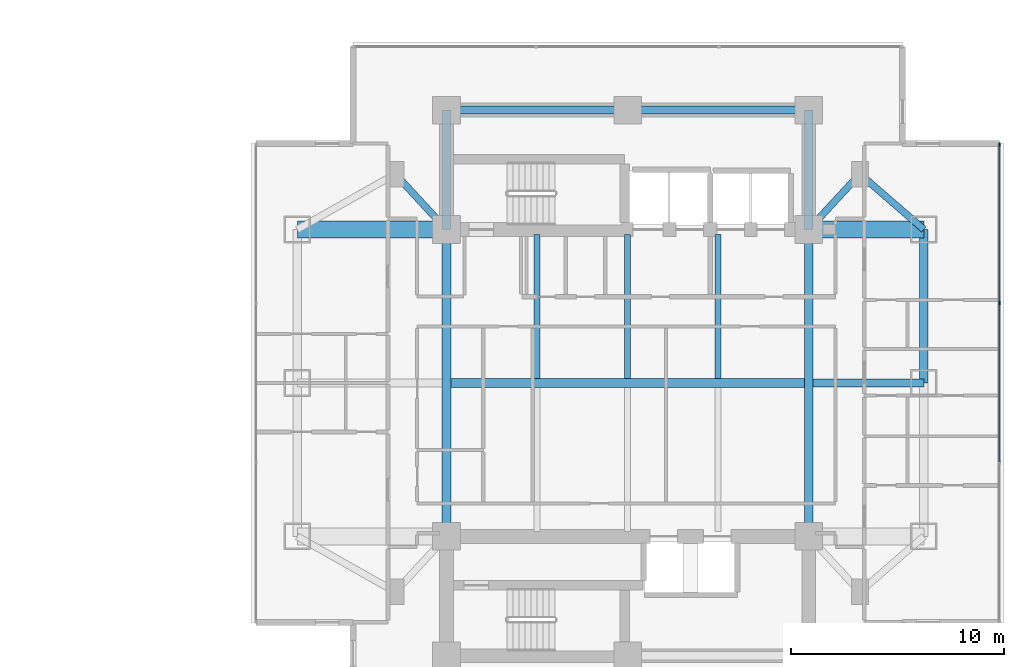
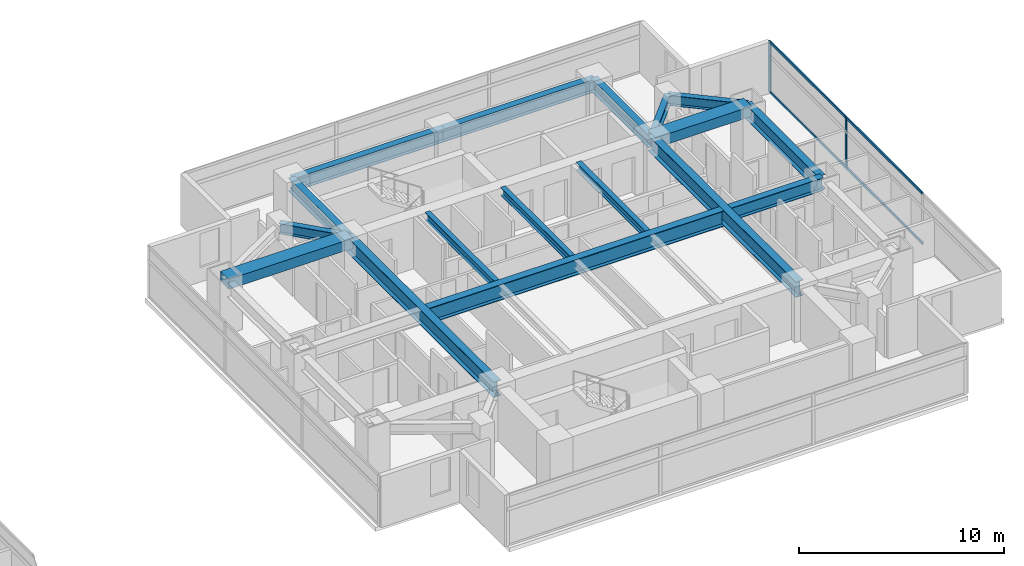
# One storey, part 11 of 27: 17 beams, 6 members, 1 element without a shape of its own.
"""IFC4 building model written with IfcOpenShell, lengths in metres."""

from ifc_helpers import new_model, si_unit, direction, frame, origin, origin_2d, place, context, subcontext, project, spatial, rectangle, i_section, extrude, material, material_profile, profile_set, type_object, element, aggregate, save


model = new_model("IFC4")

# Units and contexts
model_context = context("Model", 3, precision=1e-05, world=origin(), true_north=direction((0.0, 1.0)))
body_context = subcontext(model_context, "Body", "Model", "MODEL_VIEW")
ifc_project = project(units=[si_unit("LENGTHUNIT", "METRE"), si_unit("AREAUNIT", "SQUARE_METRE"), si_unit("VOLUMEUNIT", "CUBIC_METRE"), si_unit("PLANEANGLEUNIT", "RADIAN"), si_unit("MASSUNIT", "GRAM", prefix="KILO")], contexts=[model_context])

# Site, building, storey
site_placement = place(None, origin())
site = spatial("IfcSite", under=ifc_project, at=site_placement, CompositionType="ELEMENT")
building_placement = place(site_placement, origin())
building = spatial("IfcBuilding", under=site, at=building_placement, Name="Mirazonda Arch Towers", CompositionType="ELEMENT")
storey_placement = place(building_placement, frame((0.0, 0.0, 52.10009765625)))
storey = spatial("IfcBuildingStorey", under=building, at=storey_placement, Name="L14", CompositionType="ELEMENT", Elevation=52.10009765625)

# Beams
ifc_material_1 = material(Name="Steel ASTM A992 Grade 50", Category="steel")
ifc_material_profile_1 = material_profile(ifc_material_1, i_section(OverallWidth=0.39990234375, OverallDepth=0.85595703125, WebThickness=0.018310546875, FlangeThickness=0.029296875, at=origin_2d()), Name="W33X201")
ifc_profile_set_1 = profile_set([ifc_material_profile_1], Name="Steel ASTM A992 Grade 50")
beam_type_1 = type_object("IfcBeamType", Name="BM-EXT-W33X201", PredefinedType="USERDEFINED", material=ifc_profile_set_1)
beam_1_placement = place(storey_placement, frame((90.39990234375, 28.0, 2.6318359375), z_axis=(0.0, 1.0, 0.0), x_axis=(-1.0, 0.0, 0.0)))
element("IfcBeam", 1, at=beam_1_placement, inside=storey, type_object=beam_type_1, Name="L14 Floor Beam BM-T2-L14-NS-E-28", ObjectType="GIRDER", PredefinedType="USERDEFINED", context=body_context, shape_type="SweptSolid", body=[
    extrude(i_section(OverallWidth=0.39990234375, OverallDepth=0.85595703125, WebThickness=0.018310546875, FlangeThickness=0.029296875, at=origin_2d()), origin(), (0.0, 0.0, 1.0), 7.199951171875),
])
ifc_material_profile_2 = material_profile(ifc_material_1, i_section(OverallWidth=0.280029296875, OverallDepth=0.462890625, WebThickness=0.0107421875, FlangeThickness=0.017333984375, at=origin_2d()), Name="W18X76")
ifc_profile_set_2 = profile_set([ifc_material_profile_2], Name="Steel ASTM A992 Grade 50")
beam_type_2 = type_object("IfcBeamType", Name="BM-INT-W18X76", PredefinedType="JOIST", material=ifc_profile_set_2)
for number, where, z_axis, x_axis, name in (
    (2, (72.25, 28.205078125, 2.828369140625), (0.0, 1.0, 0.0), (-1.0, 0.0, 0.0), "L14 Floor Beam BM-T2-L14-J-722-28"),
    (3, (76.5, 28.205078125, 2.828369140625), (0.0, 1.0, 0.0), (-1.0, 0.0, 0.0), "L14 Floor Beam BM-T2-L14-J-765-28"),
    (4, (80.75, 28.205078125, 2.828369140625), (0.0, 1.0, 0.0), (-1.0, 0.0, 0.0), "L14 Floor Beam BM-T2-L14-J-807-28"),
):
    element("IfcBeam", number, at=place(storey_placement, frame(where, z_axis=z_axis, x_axis=x_axis)), inside=storey, type_object=beam_type_2, Name=name, PredefinedType="JOIST", context=body_context, shape_type="SweptSolid", body=[
        extrude(i_section(OverallWidth=0.280029296875, OverallDepth=0.462890625, WebThickness=0.0107421875, FlangeThickness=0.017333984375, at=origin_2d()), origin(), (0.0, 0.0, 1.0), 6.7548828125),
    ])
ifc_material_profile_3 = material_profile(ifc_material_1, i_section(OverallWidth=0.324951171875, OverallDepth=0.615966796875, WebThickness=0.013916015625, FlangeThickness=0.021484375, at=origin_2d()), Name="W24X117")
ifc_profile_set_3 = profile_set([ifc_material_profile_3], Name="Steel ASTM A992 Grade 50")
beam_type_3 = type_object("IfcBeamType", Name="BM-INT-W24X117", PredefinedType="BEAM", material=ifc_profile_set_3)
for number, where, z_axis, x_axis, name in (
    (5, (65.60009765625, 37.800048828125, 2.751953125), (0.678251444854, -0.734829897019, 0.0), (0.734829897019, 0.678251444854, 0.0), "L14 Floor Beam BM-T2-L14-PL-NW1"),
    (6, (87.39990234375, 37.800048828125, 2.751953125), (-0.678251444854, -0.734829897019, 0.0), (0.734829897019, -0.678251444854, 0.0), "L14 Floor Beam BM-T2-L14-PL-NE1"),
):
    element("IfcBeam", number, at=place(storey_placement, frame(where, z_axis=z_axis, x_axis=x_axis)), inside=storey, type_object=beam_type_3, Name=name, PredefinedType="BEAM", context=body_context, shape_type="SweptSolid", body=[
        extrude(i_section(OverallWidth=0.324951171875, OverallDepth=0.615966796875, WebThickness=0.013916015625, FlangeThickness=0.021484375, at=origin_2d()), origin(), (0.0, 0.0, 1.0), 3.538330078125),
    ])
beam_2_placement = place(storey_placement, frame((87.39990234375, 37.800048828125, 2.751953125), z_axis=(0.755676908098, -0.654944585876, 0.0), x_axis=(0.654944585876, 0.755676908098, 0.0)))
element("IfcBeam", 7, at=beam_2_placement, inside=storey, type_object=beam_type_3, Name="L14 Floor Beam BM-T2-L14-PL-NE2", PredefinedType="BEAM", context=body_context, shape_type="SweptSolid", body=[
    extrude(i_section(OverallWidth=0.324951171875, OverallDepth=0.615966796875, WebThickness=0.013916015625, FlangeThickness=0.021484375, at=origin_2d()), origin(), (0.0, 0.0, 1.0), 3.969970703125),
])
ifc_material_profile_4 = material_profile(ifc_material_1, i_section(OverallWidth=0.381103515625, OverallDepth=0.77294921875, WebThickness=0.0166015625, FlangeThickness=0.027099609375, at=origin_2d()), Name="W30X173")
ifc_profile_set_4 = profile_set([ifc_material_profile_4], Name="Steel ASTM A992 Grade 50")
beam_type_4 = type_object("IfcBeamType", Name="BM-INT-W30X173", PredefinedType="USERDEFINED", material=ifc_profile_set_4)
for number, where, z_axis, x_axis, name in (
    (8, (68.0, 40.800048828125, 2.67333984375), (1.0, 0.0, 0.0), (0.0, 1.0, 0.0), "L14 Floor Beam BM-T2-L14-CN1"),
    (9, (76.5, 40.800048828125, 2.67333984375), (1.0, 0.0, 0.0), (0.0, 1.0, 0.0), "L14 Floor Beam BM-T2-L14-CN2"),
):
    element("IfcBeam", number, at=place(storey_placement, frame(where, z_axis=z_axis, x_axis=x_axis)), inside=storey, type_object=beam_type_4, Name=name, ObjectType="GIRDER", PredefinedType="USERDEFINED", context=body_context, shape_type="SweptSolid", body=[
        extrude(i_section(OverallWidth=0.381103515625, OverallDepth=0.77294921875, WebThickness=0.0166015625, FlangeThickness=0.027099609375, at=origin_2d()), origin(), (0.0, 0.0, 1.0), 8.5),
    ])
for number, where, z_axis, x_axis, name in (
    (10, (68.0, 35.199951171875, 2.67333984375), (0.0, 1.0, 0.0), (-1.0, 0.0, 0.0), "L14 Floor Beam BM-T2-L14-CNW"),
    (11, (85.0, 35.199951171875, 2.67333984375), (0.0, 1.0, 0.0), (-1.0, 0.0, 0.0), "L14 Floor Beam BM-T2-L14-CNE"),
):
    element("IfcBeam", number, at=place(storey_placement, frame(where, z_axis=z_axis, x_axis=x_axis)), inside=storey, type_object=beam_type_4, Name=name, ObjectType="GIRDER", PredefinedType="USERDEFINED", context=body_context, shape_type="SweptSolid", body=[
        extrude(i_section(OverallWidth=0.381103515625, OverallDepth=0.77294921875, WebThickness=0.0166015625, FlangeThickness=0.027099609375, at=origin_2d()), origin(), (0.0, 0.0, 1.0), 5.60009765625),
    ])
beam_3_placement = place(storey_placement, frame((85.208984375, 28.0, 2.67333984375), z_axis=(1.0, 0.0, 0.0), x_axis=(0.0, 1.0, 0.0)))
element("IfcBeam", 12, at=beam_3_placement, inside=storey, type_object=beam_type_4, Name="L14 Floor Beam BM-T2-L14-GE2", ObjectType="GIRDER", PredefinedType="USERDEFINED", context=body_context, shape_type="SweptSolid", body=[
    extrude(i_section(OverallWidth=0.381103515625, OverallDepth=0.77294921875, WebThickness=0.0166015625, FlangeThickness=0.027099609375, at=origin_2d()), origin(), (0.0, 0.0, 1.0), 5.19091796875),
])
ifc_material_profile_5 = material_profile(ifc_material_1, i_section(OverallWidth=0.41796875, OverallDepth=0.927001953125, WebThickness=0.019287109375, FlangeThickness=0.031982421875, at=origin_2d()), Name="W36X231")
ifc_profile_set_5 = profile_set([ifc_material_profile_5], Name="Steel ASTM A992 Grade 50")
beam_type_5 = type_object("IfcBeamType", Name="BM-INT-W36X231", PredefinedType="USERDEFINED", material=ifc_profile_set_5)
beam_4_placement = place(storey_placement, frame((68.208984375, 28.0, 2.596435546875), z_axis=(1.0, 0.0, 0.0), x_axis=(0.0, 1.0, 0.0)))
element("IfcBeam", 13, at=beam_4_placement, inside=storey, type_object=beam_type_5, Name="L14 Floor Beam BM-T2-L14-GC2", ObjectType="GIRDER", PredefinedType="USERDEFINED", context=body_context, shape_type="SweptSolid", body=[
    extrude(i_section(OverallWidth=0.41796875, OverallDepth=0.927001953125, WebThickness=0.019287109375, FlangeThickness=0.031982421875, at=origin_2d()), origin(), (0.0, 0.0, 1.0), 16.58203125),
])
for number, where, z_axis, x_axis, name in (
    (14, (68.0, 20.800048828125, 2.596435546875), (0.0, 1.0, 0.0), (-1.0, 0.0, 0.0), "L14 Floor Beam BM-T2-L14-NS-CW-FULL"),
    (15, (85.0, 20.800048828125, 2.596435546875), (0.0, 1.0, 0.0), (-1.0, 0.0, 0.0), "L14 Floor Beam BM-T2-L14-NS-CE-FULL"),
):
    element("IfcBeam", number, at=place(storey_placement, frame(where, z_axis=z_axis, x_axis=x_axis)), inside=storey, type_object=beam_type_5, Name=name, ObjectType="GIRDER", PredefinedType="USERDEFINED", context=body_context, shape_type="SweptSolid", body=[
        extrude(i_section(OverallWidth=0.41796875, OverallDepth=0.927001953125, WebThickness=0.019287109375, FlangeThickness=0.031982421875, at=origin_2d()), origin(), (0.0, 0.0, 1.0), 14.39990234375),
    ])
ifc_material_2 = material(Name="Concrete C60/75", Category="concrete")
ifc_material_profile_6 = material_profile(ifc_material_2, rectangle(XDim=0.800048828125, YDim=0.60009765625, at=origin_2d()), Name="RCCB800x600")
ifc_profile_set_6 = profile_set([ifc_material_profile_6], Name="Concrete C60/75")
beam_type_6 = type_object("IfcBeamType", Name="CB-INT-RCCB800x600", PredefinedType="SPANDREL", material=ifc_profile_set_6)
beam_5_placement = place(storey_placement, frame((61.0, 35.199951171875, 2.760009765625), z_axis=(1.0, 0.0, 0.0), x_axis=(0.0, 1.0, 0.0)))
element("IfcBeam", 16, at=beam_5_placement, inside=storey, type_object=beam_type_6, Name="L14 Floor Beam CBC-T2-L14-NW", PredefinedType="SPANDREL", context=body_context, shape_type="SweptSolid", body=[
    extrude(rectangle(XDim=0.800048828125, YDim=0.60009765625, at=origin_2d()), origin(), (0.0, 0.0, 1.0), 7.0),
])
beam_6_placement = place(storey_placement, frame((85.0, 35.199951171875, 2.760009765625), z_axis=(1.0, 0.0, 0.0), x_axis=(0.0, 1.0, 0.0)))
element("IfcBeam", 17, at=beam_6_placement, inside=storey, type_object=beam_type_6, Name="L14 Floor Beam CBC-T2-L14-NE", PredefinedType="SPANDREL", context=body_context, shape_type="SweptSolid", body=[
    extrude(rectangle(XDim=0.800048828125, YDim=0.60009765625, at=origin_2d()), origin(), (0.0, 0.0, 1.0), 5.39990234375),
])

# Curtain wall, members
ifc_material_3 = material(Name="Anodised Aluminium and Low-E Glass", Category="aluminium")
curtain_wall_type = type_object("IfcCurtainWallType", Name="CW-HTL-UNIT", PredefinedType="NOTDEFINED", material=ifc_material_3)
curtain_wall_placement = place(storey_placement, origin())
curtain_wall = element("IfcCurtainWall", 18, at=curtain_wall_placement, inside=storey, type_object=curtain_wall_type, Name="L14 T2 E Facade CW-L14-T2-E", PredefinedType="NOTDEFINED")
ifc_material_4 = material(Name="Anodised Aluminium Alloy", Category="aluminium")
ifc_material_profile_7 = material_profile(ifc_material_4, rectangle(XDim=0.074951171875, YDim=0.1650390625, at=origin_2d()), Name="ALU-MULL-75x165")
ifc_profile_set_7 = profile_set([ifc_material_profile_7], Name="Anodised Aluminium Alloy")
member_type_1 = type_object("IfcMemberType", Name="MULL-CW-HTL-UNIT", PredefinedType="MULLION", material=ifc_profile_set_7)
member_1_placement = place(storey_placement, frame((93.93994140625, 31.743408203125, 0.0), z_axis=(0.0, 0.0, 1.0), x_axis=(-1.0, 0.0, 0.0)))
member_1 = element("IfcMember", 19, at=member_1_placement, type_object=member_type_1, Name="CW-112 mullion 3", PredefinedType="MULLION", context=body_context, shape_type="SweptSolid", body=[
    extrude(rectangle(XDim=0.074951171875, YDim=0.1650390625, at=origin_2d()), origin(), (0.0, 0.0, 1.0), 3.039794921875),
])
member_2_placement = place(storey_placement, frame((93.93994140625, 39.1923828125, 0.0), z_axis=(0.0, 0.0, 1.0), x_axis=(-1.0, 0.0, 0.0)))
member_2 = element("IfcMember", 20, at=member_2_placement, type_object=member_type_1, Name="CW-112 mullion 4", PredefinedType="MULLION", context=body_context, shape_type="SweptSolid", body=[
    extrude(rectangle(XDim=0.074951171875, YDim=0.1650390625, at=origin_2d()), origin(), (0.0, 0.0, 1.0), 3.039794921875),
])
ifc_material_profile_8 = material_profile(ifc_material_4, rectangle(XDim=0.074951171875, YDim=0.14501953125, at=origin_2d()), Name="ALU-TRAN-75x145")
ifc_profile_set_8 = profile_set([ifc_material_profile_8], Name="Anodised Aluminium Alloy")
member_type_2 = type_object("IfcMemberType", Name="TRAN-CW-HTL-UNIT", PredefinedType="USERDEFINED", material=ifc_profile_set_8)
member_3_placement = place(storey_placement, frame((93.93994140625, 24.294189453125, 0.037353515625), z_axis=(0.0, 1.0, 0.0), x_axis=(-1.0, 0.0, 0.0)))
member_3 = element("IfcMember", 21, at=member_3_placement, type_object=member_type_2, Name="CW-112 transom 2.1", ObjectType="TRANSOM", PredefinedType="USERDEFINED", context=body_context, shape_type="SweptSolid", body=[
    extrude(rectangle(XDim=0.074951171875, YDim=0.14501953125, at=origin_2d()), origin(), (0.0, 0.0, 1.0), 7.41162109375),
])
member_4_placement = place(storey_placement, frame((93.93994140625, 24.294189453125, 3.00244140625), z_axis=(0.0, 1.0, 0.0), x_axis=(-1.0, 0.0, 0.0)))
member_4 = element("IfcMember", 22, at=member_4_placement, type_object=member_type_2, Name="CW-112 transom 2.2", ObjectType="TRANSOM", PredefinedType="USERDEFINED", context=body_context, shape_type="SweptSolid", body=[
    extrude(rectangle(XDim=0.074951171875, YDim=0.14501953125, at=origin_2d()), origin(), (0.0, 0.0, 1.0), 7.41162109375),
])
member_5_placement = place(storey_placement, frame((93.93994140625, 31.78076171875, 0.037353515625), z_axis=(0.0, 1.0, 0.0), x_axis=(-1.0, 0.0, 0.0)))
member_5 = element("IfcMember", 23, at=member_5_placement, type_object=member_type_2, Name="CW-112 transom 3.1", ObjectType="TRANSOM", PredefinedType="USERDEFINED", context=body_context, shape_type="SweptSolid", body=[
    extrude(rectangle(XDim=0.074951171875, YDim=0.14501953125, at=origin_2d()), origin(), (0.0, 0.0, 1.0), 7.374267578125),
])
member_6_placement = place(storey_placement, frame((93.93994140625, 31.78076171875, 3.00244140625), z_axis=(0.0, 1.0, 0.0), x_axis=(-1.0, 0.0, 0.0)))
member_6 = element("IfcMember", 24, at=member_6_placement, type_object=member_type_2, Name="CW-112 transom 3.2", ObjectType="TRANSOM", PredefinedType="USERDEFINED", context=body_context, shape_type="SweptSolid", body=[
    extrude(rectangle(XDim=0.074951171875, YDim=0.14501953125, at=origin_2d()), origin(), (0.0, 0.0, 1.0), 7.374267578125),
])
aggregate(curtain_wall, [member_1, member_2, member_3, member_4, member_5, member_6])

save(model, "model.ifc")
